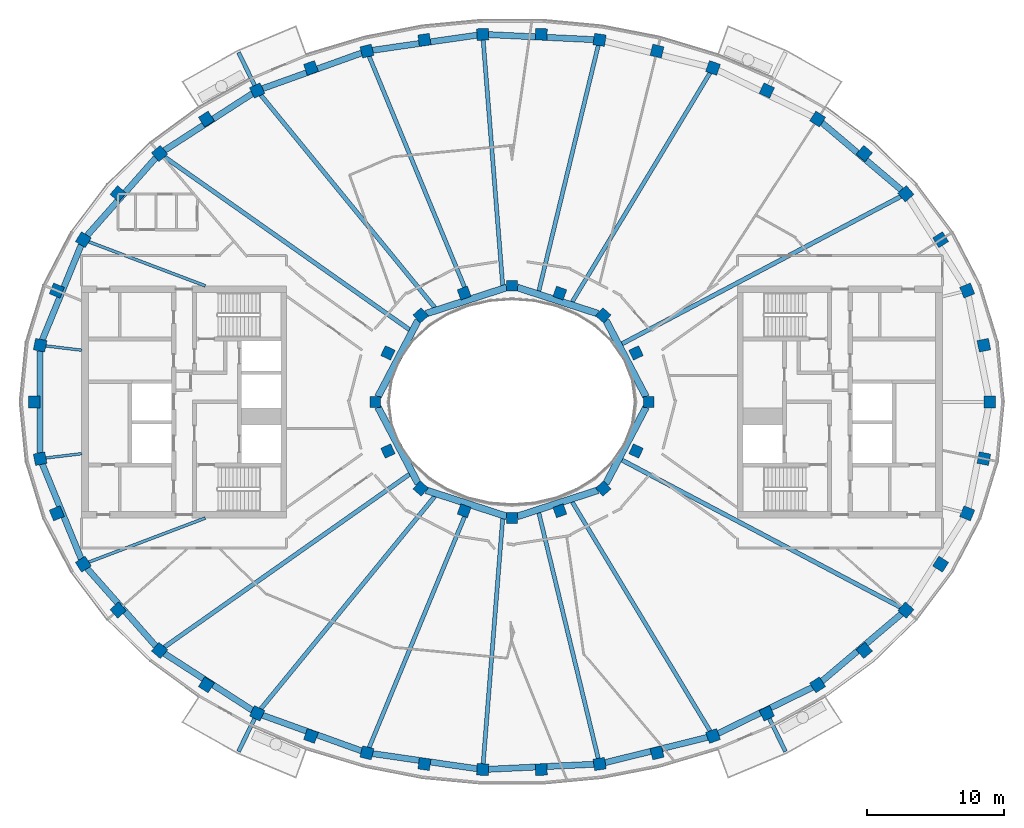
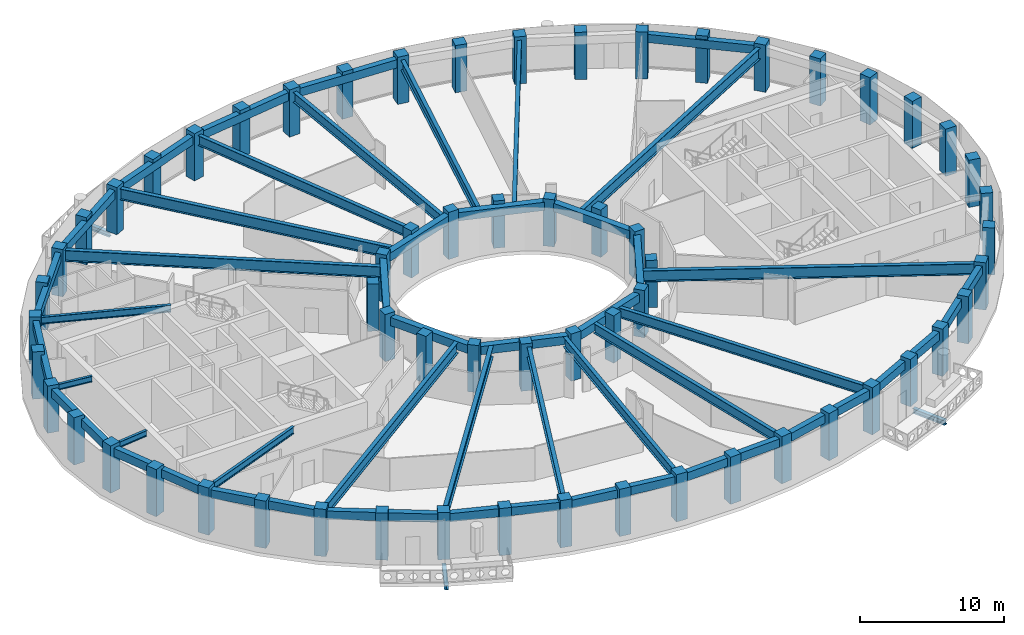
# One storey, part 1 of 18: 62 columns, 46 beams.
"""IFC4 building model written with IfcOpenShell, lengths in metres."""

from ifc_helpers import new_model, si_unit, direction, frame, origin, origin_2d, place, context, subcontext, project, spatial, rectangle, i_section, extrude, material, material_profile, profile_set, type_object, element, save


model = new_model("IFC4")

# Units and contexts
model_context = context("Model", 3, precision=1e-05, world=origin(), true_north=direction((0.0, 1.0)))
body_context = subcontext(model_context, "Body", "Model", "MODEL_VIEW")
ifc_project = project(units=[si_unit("LENGTHUNIT", "METRE"), si_unit("AREAUNIT", "SQUARE_METRE"), si_unit("VOLUMEUNIT", "CUBIC_METRE"), si_unit("PLANEANGLEUNIT", "RADIAN"), si_unit("MASSUNIT", "GRAM", prefix="KILO")], contexts=[model_context])

# Site, building, storey
site_placement = place(None, origin())
site = spatial("IfcSite", under=ifc_project, at=site_placement, CompositionType="ELEMENT")
building_placement = place(site_placement, origin())
building = spatial("IfcBuilding", under=site, at=building_placement, Name="Noorbagh Ring Tower", CompositionType="ELEMENT")
storey_placement = place(building_placement, frame((0.0, 0.0, 319.0)))
storey = spatial("IfcBuildingStorey", under=building, at=storey_placement, Name="L69", CompositionType="ELEMENT", Elevation=319.0)

# Columns
ifc_material_1 = material(Name="Concrete C50/60", Category="concrete")
ifc_material_profile_1 = material_profile(ifc_material_1, rectangle(XDim=0.85009765625, YDim=0.85009765625, at=origin_2d()), Name="RC850x850")
ifc_profile_set_1 = profile_set([ifc_material_profile_1], Name="Concrete C50/60")
column_type_1 = type_object("IfcColumnType", Name="STR-COL-RC850x850-C50-60", PredefinedType="COLUMN", material=ifc_profile_set_1)
for number, where, z_axis, x_axis, name in (
    (1, (34.944580078125, 0.0, 0.0), (0.0, 0.0, 1.0), (0.0, 1.0, 0.0), "L69/col/R1-01"),
    (2, (34.52685546875, 4.150634765625, 0.0), (0.0, 0.0, 1.0), (-0.19723040178, 0.9803571638, 0.0), "L69/col/R1-02"),
    (3, (33.30517578125, 8.1494140625, 0.0), (0.0, 0.0, 1.0), (-0.378989499959, 0.925400971969, 0.0), "L69/col/R1-03"),
    (4, (31.364990234375, 11.87109375, 0.0), (0.0, 0.0, 1.0), (-0.535190403059, 0.844731455833, 0.0), "L69/col/R1-04"),
    (5, (28.81884765625, 15.23046875, 0.0), (0.0, 0.0, 1.0), (-0.662635642662, 0.748941923699, 0.0), "L69/col/R1-05"),
    (6, (25.78271484375, 18.180419921875, 0.0), (0.0, 0.0, 1.0), (-0.763035199656, 0.646356932419, 0.0), "L69/col/R1-06"),
    (7, (22.362060546875, 20.699951171875, 0.0), (0.0, 0.0, 1.0), (-0.840247639643, 0.542202825586, 0.0), "L69/col/R1-07"),
    (8, (18.646240234375, 22.785400390625, 0.0), (0.0, 0.0, 1.0), (-0.898399080868, 0.439180021741, 0.0), "L69/col/R1-08"),
    (9, (14.70947265625, 24.44091796875, 0.0), (0.0, 0.0, 1.0), (-0.941024726094, 0.338337797003, 0.0), "L69/col/R1-09"),
    (10, (10.61328125, 25.673583984375, 0.0), (0.0, 0.0, 1.0), (-0.970829360981, 0.239771457553, 0.0), "L69/col/R1-10"),
    (11, (6.4091796875, 26.49072265625, 0.0), (0.0, 0.0, 1.0), (-0.989713114048, 0.143066249975, 0.0), "L69/col/R1-11"),
    (12, (2.14306640625, 26.89794921875, 0.0), (0.0, 0.0, 1.0), (-0.998868731212, 0.047552684538, 0.0), "L69/col/R1-12"),
    (13, (-2.14306640625, 26.89794921875, 0.0), (0.0, 0.0, 1.0), (-0.998868731212, -0.047552684538, 0.0), "L69/col/R1-13"),
    (14, (-6.4091796875, 26.49072265625, 0.0), (0.0, 0.0, 1.0), (-0.989713114048, -0.143066249975, 0.0), "L69/col/R1-14"),
    (15, (-10.61328125, 25.673583984375, 0.0), (0.0, 0.0, 1.0), (-0.970829360981, -0.239771457553, 0.0), "L69/col/R1-15"),
    (16, (-14.70947265625, 24.44091796875, 0.0), (0.0, 0.0, 1.0), (-0.941024726094, -0.338337797003, 0.0), "L69/col/R1-16"),
    (17, (-18.646240234375, 22.785400390625, 0.0), (0.0, 0.0, 1.0), (-0.898399080868, -0.439180021741, 0.0), "L69/col/R1-17"),
    (18, (-22.362060546875, 20.699951171875, 0.0), (0.0, 0.0, 1.0), (-0.840247639643, -0.542202825586, 0.0), "L69/col/R1-18"),
    (19, (-25.78271484375, 18.180419921875, 0.0), (0.0, 0.0, 1.0), (-0.763035199656, -0.646356932419, 0.0), "L69/col/R1-19"),
    (20, (-28.81884765625, 15.23046875, 0.0), (0.0, 0.0, 1.0), (-0.662635642662, -0.748941923699, 0.0), "L69/col/R1-20"),
    (21, (-31.364990234375, 11.87109375, 0.0), (0.0, 0.0, 1.0), (-0.535190403059, -0.844731455833, 0.0), "L69/col/R1-21"),
    (22, (-33.30517578125, 8.1494140625, 0.0), (0.0, 0.0, 1.0), (-0.378989499959, -0.925400971969, 0.0), "L69/col/R1-22"),
    (23, (-34.52685546875, 4.150634765625, 0.0), (0.0, 0.0, 1.0), (-0.19723040178, -0.9803571638, 0.0), "L69/col/R1-23"),
    (24, (-34.944580078125, 0.0, 0.0), (0.0, 0.0, 1.0), (0.0, -1.0, 0.0), "L69/col/R1-24"),
    (25, (-34.52685546875, -4.150634765625, 0.0), (0.0, 0.0, 1.0), (0.19723040178, -0.9803571638, 0.0), "L69/col/R1-25"),
    (26, (-33.30517578125, -8.1494140625, 0.0), (0.0, 0.0, 1.0), (0.378989499959, -0.925400971969, 0.0), "L69/col/R1-26"),
    (27, (-31.364990234375, -11.87109375, 0.0), (0.0, 0.0, 1.0), (0.535190403059, -0.844731455833, 0.0), "L69/col/R1-27"),
    (28, (-28.81884765625, -15.23046875, 0.0), (0.0, 0.0, 1.0), (0.662635642662, -0.748941923699, 0.0), "L69/col/R1-28"),
    (29, (-25.78271484375, -18.180419921875, 0.0), (0.0, 0.0, 1.0), (0.763035199656, -0.646356932419, 0.0), "L69/col/R1-29"),
    (30, (-22.362060546875, -20.699951171875, 0.0), (0.0, 0.0, 1.0), (0.840247639643, -0.542202825586, 0.0), "L69/col/R1-30"),
    (31, (-18.646240234375, -22.785400390625, 0.0), (0.0, 0.0, 1.0), (0.898399080868, -0.439180021741, 0.0), "L69/col/R1-31"),
    (32, (-14.70947265625, -24.44091796875, 0.0), (0.0, 0.0, 1.0), (0.941024726094, -0.338337797003, 0.0), "L69/col/R1-32"),
    (33, (-10.61328125, -25.673583984375, 0.0), (0.0, 0.0, 1.0), (0.970829360981, -0.239771457553, 0.0), "L69/col/R1-33"),
    (34, (-6.4091796875, -26.49072265625, 0.0), (0.0, 0.0, 1.0), (0.989713114048, -0.143066249975, 0.0), "L69/col/R1-34"),
    (35, (-2.14306640625, -26.89794921875, 0.0), (0.0, 0.0, 1.0), (0.998868731212, -0.047552684538, 0.0), "L69/col/R1-35"),
    (36, (2.14306640625, -26.89794921875, 0.0), (0.0, 0.0, 1.0), (0.998868731212, 0.047552684538, 0.0), "L69/col/R1-36"),
    (37, (6.4091796875, -26.49072265625, 0.0), (0.0, 0.0, 1.0), (0.989713114048, 0.143066249975, 0.0), "L69/col/R1-37"),
    (38, (10.61328125, -25.673583984375, 0.0), (0.0, 0.0, 1.0), (0.970829360981, 0.239771457553, 0.0), "L69/col/R1-38"),
    (39, (14.70947265625, -24.44091796875, 0.0), (0.0, 0.0, 1.0), (0.941024726094, 0.338337797003, 0.0), "L69/col/R1-39"),
    (40, (18.646240234375, -22.785400390625, 0.0), (0.0, 0.0, 1.0), (0.898399080868, 0.439180021741, 0.0), "L69/col/R1-40"),
    (41, (22.362060546875, -20.699951171875, 0.0), (0.0, 0.0, 1.0), (0.840247639643, 0.542202825586, 0.0), "L69/col/R1-41"),
    (42, (25.78271484375, -18.180419921875, 0.0), (0.0, 0.0, 1.0), (0.763035199656, 0.646356932419, 0.0), "L69/col/R1-42"),
    (43, (28.81884765625, -15.23046875, 0.0), (0.0, 0.0, 1.0), (0.662635642662, 0.748941923699, 0.0), "L69/col/R1-43"),
    (44, (31.364990234375, -11.87109375, 0.0), (0.0, 0.0, 1.0), (0.535190403059, 0.844731455833, 0.0), "L69/col/R1-44"),
    (45, (33.30517578125, -8.1494140625, 0.0), (0.0, 0.0, 1.0), (0.378989499959, 0.925400971969, 0.0), "L69/col/R1-45"),
    (46, (34.52685546875, -4.150634765625, 0.0), (0.0, 0.0, 1.0), (0.19723040178, 0.9803571638, 0.0), "L69/col/R1-46"),
):
    element("IfcColumn", number, at=place(storey_placement, frame(where, z_axis=z_axis, x_axis=x_axis)), inside=storey, type_object=column_type_1, Name=name, PredefinedType="COLUMN", context=body_context, shape_type="SweptSolid", body=[
        extrude(rectangle(XDim=0.85009765625, YDim=0.85009765625, at=origin_2d()), origin(), (0.0, 0.0, 1.0), 4.0),
    ])
ifc_material_2 = material(Name="Concrete C50/60", Category="concrete")
ifc_material_profile_2 = material_profile(ifc_material_2, rectangle(XDim=0.800048828125, YDim=0.800048828125, at=origin_2d()), Name="RC800x800")
ifc_profile_set_2 = profile_set([ifc_material_profile_2], Name="Concrete C50/60")
column_type_2 = type_object("IfcColumnType", Name="STR-ICOL-RC800x800-C50-60", PredefinedType="COLUMN", material=ifc_profile_set_2)
for number, where, z_axis, x_axis, name in (
    (47, (10.00830078125, 0.0, 0.0), (0.0, 0.0, 1.0), (0.0, 1.0, 0.0), "L69/col/IR2-W01"),
    (48, (9.07568359375, 3.58837890625, 0.0), (0.0, 0.0, 1.0), (-0.428666979171, 0.903462573087, 0.0), "L69/col/IR2-W03"),
    (49, (6.68212890625, 6.333740234375, 0.0), (0.0, 0.0, 1.0), (-0.75102249095, 0.660276622399, 0.0), "L69/col/IR2-W05"),
    (50, (3.5009765625, 7.967041015625, 0.0), (0.0, 0.0, 1.0), (-0.939019578916, 0.343863679984, 0.0), "L69/col/IR2-W07"),
    (51, (0.0, 8.5029296875, 0.0), (0.0, 0.0, 1.0), (-1.0, 0.0, 0.0), "L69/col/IR2-W09"),
    (52, (-3.5009765625, 7.967041015625, 0.0), (0.0, 0.0, 1.0), (-0.939019578916, -0.343863679984, 0.0), "L69/col/IR2-W11"),
    (53, (-6.68212890625, 6.333740234375, 0.0), (0.0, 0.0, 1.0), (-0.75102249095, -0.660276622399, 0.0), "L69/col/IR2-W13"),
    (54, (-9.07568359375, 3.58837890625, 0.0), (0.0, 0.0, 1.0), (-0.428666979171, -0.903462573087, 0.0), "L69/col/IR2-W15"),
    (55, (-10.00830078125, 0.0, 0.0), (0.0, 0.0, 1.0), (0.0, -1.0, 0.0), "L69/col/IR2-W17"),
    (56, (-9.07568359375, -3.58837890625, 0.0), (0.0, 0.0, 1.0), (0.428666979171, -0.903462573087, 0.0), "L69/col/IR2-W19"),
    (57, (-6.68212890625, -6.333740234375, 0.0), (0.0, 0.0, 1.0), (0.75102249095, -0.660276622399, 0.0), "L69/col/IR2-W21"),
    (58, (-3.5009765625, -7.967041015625, 0.0), (0.0, 0.0, 1.0), (0.939019578916, -0.343863679984, 0.0), "L69/col/IR2-W23"),
    (59, (0.0, -8.5029296875, 0.0), (0.0, 0.0, 1.0), (1.0, 0.0, 0.0), "L69/col/IR2-W25"),
    (60, (3.5009765625, -7.967041015625, 0.0), (0.0, 0.0, 1.0), (0.939019578916, 0.343863679984, 0.0), "L69/col/IR2-W27"),
    (61, (6.68212890625, -6.333740234375, 0.0), (0.0, 0.0, 1.0), (0.75102249095, 0.660276622399, 0.0), "L69/col/IR2-W29"),
    (62, (9.07568359375, -3.58837890625, 0.0), (0.0, 0.0, 1.0), (0.428666979171, 0.903462573087, 0.0), "L69/col/IR2-W31"),
):
    element("IfcColumn", number, at=place(storey_placement, frame(where, z_axis=z_axis, x_axis=x_axis)), inside=storey, type_object=column_type_2, Name=name, PredefinedType="COLUMN", context=body_context, shape_type="SweptSolid", body=[
        extrude(rectangle(XDim=0.800048828125, YDim=0.800048828125, at=origin_2d()), origin(), (0.0, 0.0, 1.0), 4.0),
    ])

# Beams
ifc_material_3 = material(Name="Steel S355", Category="steel")
ifc_material_profile_3 = material_profile(ifc_material_3, i_section(OverallWidth=0.300048828125, OverallDepth=0.39990234375, WebThickness=0.013427734375, FlangeThickness=0.02392578125, FilletRadius=0.027099609375, at=origin_2d()), Name="HEB400")
ifc_profile_set_3 = profile_set([ifc_material_profile_3], Name="Steel S355")
beam_type_1 = type_object("IfcBeamType", Name="STR-BALCONY-BRACKET-HEB400", PredefinedType="BEAM", material=ifc_profile_set_3)
for number, where, z_axis, x_axis, name in (
    (63, (-18.82421875, 23.149169921875, -0.5), (-0.439239321367, 0.898370089977, 0.0), (-0.898370089977, -0.439239321367, 0.0), "Balcony bracket beam BN05"),
    (64, (-18.82421875, -23.149169921875, -0.5), (-0.439239321367, -0.898370089977, 0.0), (0.898370089977, -0.439239321367, 0.0), "Balcony bracket beam BS02"),
    (65, (18.82421875, -23.149169921875, -0.5), (0.439239321367, -0.898370089977, 0.0), (0.898370089977, 0.439239321367, 0.0), "Balcony bracket beam BS05"),
):
    element("IfcBeam", number, at=place(storey_placement, frame(where, z_axis=z_axis, x_axis=x_axis)), inside=storey, type_object=beam_type_1, Name=name, PredefinedType="BEAM", context=body_context, shape_type="SweptSolid", body=[
        extrude(i_section(OverallWidth=0.300048828125, OverallDepth=0.39990234375, WebThickness=0.013427734375, FlangeThickness=0.02392578125, FilletRadius=0.027099609375, at=origin_2d()), origin(), (0.0, 0.0, 1.0), 2.7001953125),
    ])
ifc_material_4 = material(Name="Steel S355", Category="steel")
ifc_material_profile_4 = material_profile(ifc_material_4, i_section(OverallWidth=0.199951171875, OverallDepth=0.5, WebThickness=0.01025390625, FlangeThickness=0.01611328125, FilletRadius=0.02099609375, at=origin_2d()), Name="IPE500")
ifc_profile_set_4 = profile_set([ifc_material_profile_4], Name="Steel S355")
beam_type_2 = type_object("IfcBeamType", Name="STR-RAD-IPE500", PredefinedType="BEAM", material=ifc_profile_set_4)
for number, where, z_axis, x_axis, name in (
    (66, (-34.123291015625, 4.102294921875, 3.449951171875), (0.992845559516, -0.119405590106, 0.0), (0.119405590106, 0.992845559516, 0.0), "L69/bm/RD23"),
    (67, (-34.123291015625, -4.102294921875, 3.449951171875), (0.992845559516, 0.119405590106, 0.0), (-0.119405590106, 0.992845559516, 0.0), "L69/bm/RD25"),
):
    element("IfcBeam", number, at=place(storey_placement, frame(where, z_axis=z_axis, x_axis=x_axis)), inside=storey, type_object=beam_type_2, Name=name, PredefinedType="BEAM", context=body_context, shape_type="SweptSolid", body=[
        extrude(i_section(OverallWidth=0.199951171875, OverallDepth=0.5, WebThickness=0.01025390625, FlangeThickness=0.01611328125, FilletRadius=0.02099609375, at=origin_2d()), origin(), (0.0, 0.0, 1.0), 2.662109375),
    ])
ifc_material_5 = material(Name="Steel S355", Category="steel")
ifc_material_profile_5 = material_profile(ifc_material_5, i_section(OverallWidth=0.219970703125, OverallDepth=0.60009765625, WebThickness=0.011962890625, FlangeThickness=0.01904296875, FilletRadius=0.02392578125, at=origin_2d()), Name="IPE600")
ifc_profile_set_5 = profile_set([ifc_material_profile_5], Name="Steel S355")
beam_type_3 = type_object("IfcBeamType", Name="STR-RAD-IPE600", PredefinedType="BEAM", material=ifc_profile_set_5)
for number, where, z_axis, x_axis, name in (
    (68, (-30.977783203125, 11.724365234375, 3.39990234375), (0.935256589079, -0.35397049677, 0.0), (0.35397049677, 0.935256589079, 0.0), "L69/bm/RD21"),
    (69, (-30.977783203125, -11.724365234375, 3.39990234375), (0.935256589079, 0.35397049677, 0.0), (-0.35397049677, 0.935256589079, 0.0), "L69/bm/RD27"),
):
    element("IfcBeam", number, at=place(storey_placement, frame(where, z_axis=z_axis, x_axis=x_axis)), inside=storey, type_object=beam_type_3, Name=name, PredefinedType="BEAM", context=body_context, shape_type="SweptSolid", body=[
        extrude(i_section(OverallWidth=0.219970703125, OverallDepth=0.60009765625, WebThickness=0.011962890625, FlangeThickness=0.01904296875, FilletRadius=0.02392578125, at=origin_2d()), origin(), (0.0, 0.0, 1.0), 9.129150390625),
    ])
ifc_material_6 = material(Name="Steel S355", Category="steel")
ifc_material_profile_6 = material_profile(ifc_material_6, i_section(OverallWidth=0.300048828125, OverallDepth=0.85009765625, WebThickness=0.013916015625, FlangeThickness=0.028076171875, at=origin_2d()), Name="PG850x300x14x28")
ifc_profile_set_6 = profile_set([ifc_material_profile_6], Name="Steel S355")
beam_type_4 = type_object("IfcBeamType", Name="STR-RAD-PG850x300x14x28", PredefinedType="BEAM", material=ifc_profile_set_6)
beam_1_placement = place(storey_placement, frame((14.496337890625, 24.086669921875, 3.27490234375), z_axis=(-0.515652694162, -0.856797700162, 0.0), x_axis=(0.856797700162, -0.515652694162, 0.0)))
element("IfcBeam", 70, at=beam_1_placement, inside=storey, type_object=beam_type_4, Name="L69/bm/RD09", PredefinedType="BEAM", context=body_context, shape_type="SweptSolid", body=[
    extrude(i_section(OverallWidth=0.300048828125, OverallDepth=0.85009765625, WebThickness=0.013916015625, FlangeThickness=0.028076171875, at=origin_2d()), origin(), (0.0, 0.0, 1.0), 19.57373046875),
])
beam_2_placement = place(storey_placement, frame((6.3134765625, 26.095458984375, 3.27490234375), z_axis=(-0.235150311245, -0.971959017202, 0.0), x_axis=(0.971959017202, -0.235150311245, 0.0)))
element("IfcBeam", 71, at=beam_2_placement, inside=storey, type_object=beam_type_4, Name="L69/bm/RD11", PredefinedType="BEAM", context=body_context, shape_type="SweptSolid", body=[
    extrude(i_section(OverallWidth=0.300048828125, OverallDepth=0.85009765625, WebThickness=0.013916015625, FlangeThickness=0.028076171875, at=origin_2d()), origin(), (0.0, 0.0, 1.0), 18.506591796875),
])
beam_3_placement = place(storey_placement, frame((-2.111083984375, 26.494140625, 3.27490234375), z_axis=(0.079432469635, -0.996840249372, 0.0), x_axis=(0.996840249372, 0.079432469635, 0.0)))
element("IfcBeam", 72, at=beam_3_placement, inside=storey, type_object=beam_type_4, Name="L69/bm/RD13", PredefinedType="BEAM", context=body_context, shape_type="SweptSolid", body=[
    extrude(i_section(OverallWidth=0.300048828125, OverallDepth=0.85009765625, WebThickness=0.013916015625, FlangeThickness=0.028076171875, at=origin_2d()), origin(), (0.0, 0.0, 1.0), 18.0263671875),
])
for number, where, z_axis, x_axis, name in (
    (73, (-10.45654296875, 25.294921875, 3.27490234375), (0.382031056848, -0.924149485529, 0.0), (0.924149485529, 0.382031056848, 0.0), "L69/bm/RD15"),
    (74, (-10.45654296875, -25.294921875, 3.27490234375), (0.382031056848, 0.924149485529, 0.0), (-0.924149485529, 0.382031056848, 0.0), "L69/bm/RD33"),
):
    element("IfcBeam", number, at=place(storey_placement, frame(where, z_axis=z_axis, x_axis=x_axis)), inside=storey, type_object=beam_type_4, Name=name, PredefinedType="BEAM", context=body_context, shape_type="SweptSolid", body=[
        extrude(i_section(OverallWidth=0.300048828125, OverallDepth=0.85009765625, WebThickness=0.013916015625, FlangeThickness=0.028076171875, at=origin_2d()), origin(), (0.0, 0.0, 1.0), 19.028076171875),
    ])
beam_4_placement = place(storey_placement, frame((-2.111083984375, -26.494140625, 3.27490234375), z_axis=(0.079432469635, 0.996840249372, 0.0), x_axis=(-0.996840249372, 0.079432469635, 0.0)))
element("IfcBeam", 75, at=beam_4_placement, inside=storey, type_object=beam_type_4, Name="L69/bm/RD35", PredefinedType="BEAM", context=body_context, shape_type="SweptSolid", body=[
    extrude(i_section(OverallWidth=0.300048828125, OverallDepth=0.85009765625, WebThickness=0.013916015625, FlangeThickness=0.028076171875, at=origin_2d()), origin(), (0.0, 0.0, 1.0), 18.0263671875),
])
beam_5_placement = place(storey_placement, frame((6.3134765625, -26.095458984375, 3.27490234375), z_axis=(-0.235150311245, 0.971959017202, 0.0), x_axis=(-0.971959017202, -0.235150311245, 0.0)))
element("IfcBeam", 76, at=beam_5_placement, inside=storey, type_object=beam_type_4, Name="L69/bm/RD37", PredefinedType="BEAM", context=body_context, shape_type="SweptSolid", body=[
    extrude(i_section(OverallWidth=0.300048828125, OverallDepth=0.85009765625, WebThickness=0.013916015625, FlangeThickness=0.028076171875, at=origin_2d()), origin(), (0.0, 0.0, 1.0), 18.506591796875),
])
beam_6_placement = place(storey_placement, frame((14.496337890625, -24.086669921875, 3.27490234375), z_axis=(-0.515652694162, 0.856797700162, 0.0), x_axis=(-0.856797700162, -0.515652694162, 0.0)))
element("IfcBeam", 77, at=beam_6_placement, inside=storey, type_object=beam_type_4, Name="L69/bm/RD39", PredefinedType="BEAM", context=body_context, shape_type="SweptSolid", body=[
    extrude(i_section(OverallWidth=0.300048828125, OverallDepth=0.85009765625, WebThickness=0.013916015625, FlangeThickness=0.028076171875, at=origin_2d()), origin(), (0.0, 0.0, 1.0), 19.57373046875),
])
ifc_material_7 = material(Name="Steel S355", Category="steel")
ifc_material_profile_7 = material_profile(ifc_material_7, i_section(OverallWidth=0.320068359375, OverallDepth=0.949951171875, WebThickness=0.01611328125, FlangeThickness=0.030029296875, at=origin_2d()), Name="PG950x320x16x30")
ifc_profile_set_7 = profile_set([ifc_material_profile_7], Name="Steel S355")
beam_type_5 = type_object("IfcBeamType", Name="STR-RAD-PG950x320x16x30", PredefinedType="BEAM", material=ifc_profile_set_7)
beam_7_placement = place(storey_placement, frame((28.449951171875, 15.035400390625, 3.22509765625), z_axis=(-0.884129263948, -0.46724238317, 0.0), x_axis=(0.46724238317, -0.884129263948, 0.0)))
element("IfcBeam", 78, at=beam_7_placement, inside=storey, type_object=beam_type_5, Name="L69/bm/RD05", PredefinedType="BEAM", context=body_context, shape_type="SweptSolid", body=[
    extrude(i_section(OverallWidth=0.320068359375, OverallDepth=0.949951171875, WebThickness=0.01611328125, FlangeThickness=0.030029296875, at=origin_2d()), origin(), (0.0, 0.0, 1.0), 23.087890625),
])
beam_8_placement = place(storey_placement, frame((-18.38232421875, 22.462890625, 3.22509765625), z_axis=(0.633313204147, -0.773895590796, 0.0), x_axis=(0.773895590796, 0.633313204147, 0.0)))
element("IfcBeam", 79, at=beam_8_placement, inside=storey, type_object=beam_type_5, Name="L69/bm/RD17", PredefinedType="BEAM", context=body_context, shape_type="SweptSolid", body=[
    extrude(i_section(OverallWidth=0.320068359375, OverallDepth=0.949951171875, WebThickness=0.01611328125, FlangeThickness=0.030029296875, at=origin_2d()), origin(), (0.0, 0.0, 1.0), 20.096435546875),
])
for number, where, z_axis, x_axis, name in (
    (80, (-25.440185546875, 17.938720703125, 3.22509765625), (0.817257999624, -0.576271951469, 0.0), (0.576271951469, 0.817257999624, 0.0), "L69/bm/RD19"),
    (81, (-25.440185546875, -17.938720703125, 3.22509765625), (0.817257999624, 0.576271951469, 0.0), (-0.576271951469, 0.817257999624, 0.0), "L69/bm/RD29"),
):
    element("IfcBeam", number, at=place(storey_placement, frame(where, z_axis=z_axis, x_axis=x_axis)), inside=storey, type_object=beam_type_5, Name=name, PredefinedType="BEAM", context=body_context, shape_type="SweptSolid", body=[
        extrude(i_section(OverallWidth=0.320068359375, OverallDepth=0.949951171875, WebThickness=0.01611328125, FlangeThickness=0.030029296875, at=origin_2d()), origin(), (0.0, 0.0, 1.0), 21.959716796875),
    ])
beam_9_placement = place(storey_placement, frame((-18.38232421875, -22.462890625, 3.22509765625), z_axis=(0.633313204147, 0.773895590796, 0.0), x_axis=(-0.773895590796, 0.633313204147, 0.0)))
element("IfcBeam", 82, at=beam_9_placement, inside=storey, type_object=beam_type_5, Name="L69/bm/RD31", PredefinedType="BEAM", context=body_context, shape_type="SweptSolid", body=[
    extrude(i_section(OverallWidth=0.320068359375, OverallDepth=0.949951171875, WebThickness=0.01611328125, FlangeThickness=0.030029296875, at=origin_2d()), origin(), (0.0, 0.0, 1.0), 20.096435546875),
])
beam_10_placement = place(storey_placement, frame((28.449951171875, -15.035400390625, 3.22509765625), z_axis=(-0.884129263948, 0.46724238317, 0.0), x_axis=(-0.46724238317, -0.884129263948, 0.0)))
element("IfcBeam", 83, at=beam_10_placement, inside=storey, type_object=beam_type_5, Name="L69/bm/RD43", PredefinedType="BEAM", context=body_context, shape_type="SweptSolid", body=[
    extrude(i_section(OverallWidth=0.320068359375, OverallDepth=0.949951171875, WebThickness=0.01611328125, FlangeThickness=0.030029296875, at=origin_2d()), origin(), (0.0, 0.0, 1.0), 23.087890625),
])
ifc_material_8 = material(Name="Concrete C40/50", Category="concrete")
ifc_material_profile_8 = material_profile(ifc_material_8, rectangle(XDim=0.5, YDim=0.699951171875, at=origin_2d()), Name="RC500x700")
ifc_profile_set_8 = profile_set([ifc_material_profile_8], Name="Concrete C40/50")
beam_type_6 = type_object("IfcBeamType", Name="STR-RB-RC500x700-C40-50", PredefinedType="BEAM", material=ifc_profile_set_8)
beam_11_placement = place(storey_placement, frame((9.8076171875, 0.38232421875, 3.35009765625), z_axis=(-0.464943021964, 0.885340604698, 0.0), x_axis=(-0.885340604698, -0.464943021964, 0.0)))
element("IfcBeam", 84, at=beam_11_placement, inside=storey, type_object=beam_type_6, Name="L69/bm/RG01", PredefinedType="BEAM", context=body_context, shape_type="SweptSolid", body=[
    extrude(rectangle(XDim=0.5, YDim=0.699951171875, at=origin_2d()), origin(), (0.0, 0.0, 1.0), 6.313720703125),
])
for number, where, z_axis, x_axis, name in (
    (85, (6.286865234375, 6.462158203125, 3.35009765625), (-0.951150444931, 0.308727762126, 0.0), (-0.308727762126, -0.951150444931, 0.0), "L69/bm/RG03"),
    (86, (-0.380859375, 8.379150390625, 3.35009765625), (-0.951150444931, -0.308727762126, 0.0), (0.308727762126, -0.951150444931, 0.0), "L69/bm/RG05"),
):
    element("IfcBeam", number, at=place(storey_placement, frame(where, z_axis=z_axis, x_axis=x_axis)), inside=storey, type_object=beam_type_6, Name=name, PredefinedType="BEAM", context=body_context, shape_type="SweptSolid", body=[
        extrude(rectangle(XDim=0.5, YDim=0.699951171875, at=origin_2d()), origin(), (0.0, 0.0, 1.0), 6.209228515625),
    ])
for number, where, z_axis, x_axis, name in (
    (87, (-6.8720703125, 5.97216796875, 3.35009765625), (-0.464943021964, -0.885340604698, 0.0), (0.885340604698, -0.464943021964, 0.0), "L69/bm/RG07"),
    (88, (-9.8076171875, -0.38232421875, 3.35009765625), (0.464943021964, -0.885340604698, 0.0), (0.885340604698, 0.464943021964, 0.0), "L69/bm/RG09"),
):
    element("IfcBeam", number, at=place(storey_placement, frame(where, z_axis=z_axis, x_axis=x_axis)), inside=storey, type_object=beam_type_6, Name=name, PredefinedType="BEAM", context=body_context, shape_type="SweptSolid", body=[
        extrude(rectangle(XDim=0.5, YDim=0.699951171875, at=origin_2d()), origin(), (0.0, 0.0, 1.0), 6.313720703125),
    ])
for number, where, z_axis, x_axis, name in (
    (89, (-6.286865234375, -6.462158203125, 3.35009765625), (0.951150444931, -0.308727762126, 0.0), (0.308727762126, 0.951150444931, 0.0), "L69/bm/RG11"),
    (90, (0.380859375, -8.379150390625, 3.35009765625), (0.951150444931, 0.308727762126, 0.0), (-0.308727762126, 0.951150444931, 0.0), "L69/bm/RG13"),
):
    element("IfcBeam", number, at=place(storey_placement, frame(where, z_axis=z_axis, x_axis=x_axis)), inside=storey, type_object=beam_type_6, Name=name, PredefinedType="BEAM", context=body_context, shape_type="SweptSolid", body=[
        extrude(rectangle(XDim=0.5, YDim=0.699951171875, at=origin_2d()), origin(), (0.0, 0.0, 1.0), 6.209228515625),
    ])
beam_12_placement = place(storey_placement, frame((6.8720703125, -5.97216796875, 3.35009765625), z_axis=(0.464943021964, 0.885340604698, 0.0), x_axis=(-0.885340604698, 0.464943021964, 0.0)))
element("IfcBeam", 91, at=beam_12_placement, inside=storey, type_object=beam_type_6, Name="L69/bm/RG15", PredefinedType="BEAM", context=body_context, shape_type="SweptSolid", body=[
    extrude(rectangle(XDim=0.5, YDim=0.699951171875, at=origin_2d()), origin(), (0.0, 0.0, 1.0), 6.313720703125),
])
ifc_material_9 = material(Name="Concrete C40/50", Category="concrete")
ifc_material_profile_9 = material_profile(ifc_material_9, rectangle(XDim=0.449951171875, YDim=0.699951171875, at=origin_2d()), Name="RC450x700")
ifc_profile_set_9 = profile_set([ifc_material_profile_9], Name="Concrete C40/50")
beam_type_7 = type_object("IfcBeamType", Name="STR-SB-RC450x700-C40-50", PredefinedType="BEAM", material=ifc_profile_set_9)
beam_13_placement = place(storey_placement, frame((28.50634765625, 15.4951171875, 3.35009765625), z_axis=(-0.763033626147, 0.646358789968, 0.0), x_axis=(-0.646358789968, -0.763033626147, 0.0)))
element("IfcBeam", 92, at=beam_13_placement, inside=storey, type_object=beam_type_7, Name="L69/bm/SP05", PredefinedType="BEAM", context=body_context, shape_type="SweptSolid", body=[
    extrude(rectangle(XDim=0.449951171875, YDim=0.699951171875, at=origin_2d()), origin(), (0.0, 0.0, 1.0), 7.643798828125),
])
beam_14_placement = place(storey_placement, frame((6.002685546875, 26.51025390625, 3.35009765625), z_axis=(-0.998868993013, 0.047547184961, 0.0), x_axis=(-0.047547184961, -0.998868993013, 0.0)))
element("IfcBeam", 93, at=beam_14_placement, inside=storey, type_object=beam_type_7, Name="L69/bm/SP11", PredefinedType="BEAM", context=body_context, shape_type="SweptSolid", body=[
    extrude(rectangle(XDim=0.449951171875, YDim=0.699951171875, at=origin_2d()), origin(), (0.0, 0.0, 1.0), 7.748291015625),
])
beam_15_placement = place(storey_placement, frame((-2.5458984375, 26.83984375, 3.35009765625), z_axis=(-0.989712936671, -0.143067477037, 0.0), x_axis=(0.143067477037, -0.989712936671, 0.0)))
element("IfcBeam", 94, at=beam_15_placement, inside=storey, type_object=beam_type_7, Name="L69/bm/SP13", PredefinedType="BEAM", context=body_context, shape_type="SweptSolid", body=[
    extrude(rectangle(XDim=0.449951171875, YDim=0.699951171875, at=origin_2d()), origin(), (0.0, 0.0, 1.0), 7.743896484375),
])
beam_16_placement = place(storey_placement, frame((-10.996337890625, 25.535888671875, 3.35009765625), z_axis=(-0.941025178143, -0.338336539707, 0.0), x_axis=(0.338336539707, -0.941025178143, 0.0)))
element("IfcBeam", 95, at=beam_16_placement, inside=storey, type_object=beam_type_7, Name="L69/bm/SP15", PredefinedType="BEAM", context=body_context, shape_type="SweptSolid", body=[
    extrude(rectangle(XDim=0.449951171875, YDim=0.699951171875, at=origin_2d()), origin(), (0.0, 0.0, 1.0), 7.7216796875),
])
beam_17_placement = place(storey_placement, frame((-18.989013671875, 22.564208984375, 3.35009765625), z_axis=(-0.840250378677, -0.542198580904, 0.0), x_axis=(0.542198580904, -0.840250378677, 0.0)))
element("IfcBeam", 96, at=beam_17_placement, inside=storey, type_object=beam_type_7, Name="L69/bm/SP17", PredefinedType="BEAM", context=body_context, shape_type="SweptSolid", body=[
    extrude(rectangle(XDim=0.449951171875, YDim=0.699951171875, at=origin_2d()), origin(), (0.0, 0.0, 1.0), 7.6767578125),
])
beam_18_placement = place(storey_placement, frame((-26.053955078125, 17.873779296875, 3.35009765625), z_axis=(-0.662640380218, -0.748937732061, 0.0), x_axis=(0.748937732061, -0.662640380218, 0.0)))
element("IfcBeam", 97, at=beam_18_placement, inside=storey, type_object=beam_type_7, Name="L69/bm/SP19", PredefinedType="BEAM", context=body_context, shape_type="SweptSolid", body=[
    extrude(rectangle(XDim=0.449951171875, YDim=0.699951171875, at=origin_2d()), origin(), (0.0, 0.0, 1.0), 7.6044921875),
])
beam_19_placement = place(storey_placement, frame((-31.52099609375, 11.489990234375, 3.35009765625), z_axis=(-0.37899824369, -0.925397391006, 0.0), x_axis=(0.925397391006, -0.37899824369, 0.0)))
element("IfcBeam", 98, at=beam_19_placement, inside=storey, type_object=beam_type_7, Name="L69/bm/SP21", PredefinedType="BEAM", context=body_context, shape_type="SweptSolid", body=[
    extrude(rectangle(XDim=0.449951171875, YDim=0.699951171875, at=origin_2d()), origin(), (0.0, 0.0, 1.0), 7.51806640625),
])
beam_20_placement = place(storey_placement, frame((-34.52685546875, 3.737060546875, 3.35009765625), z_axis=(0.0, -1.0, 0.0), x_axis=(1.0, 0.0, 0.0)))
element("IfcBeam", 99, at=beam_20_placement, inside=storey, type_object=beam_type_7, Name="L69/bm/SP23", PredefinedType="BEAM", context=body_context, shape_type="SweptSolid", body=[
    extrude(rectangle(XDim=0.449951171875, YDim=0.699951171875, at=origin_2d()), origin(), (0.0, 0.0, 1.0), 7.47412109375),
])
beam_21_placement = place(storey_placement, frame((-34.370361328125, -4.53271484375, 3.35009765625), z_axis=(0.37899824369, -0.925397391006, 0.0), x_axis=(0.925397391006, 0.37899824369, 0.0)))
element("IfcBeam", 100, at=beam_21_placement, inside=storey, type_object=beam_type_7, Name="L69/bm/SP25", PredefinedType="BEAM", context=body_context, shape_type="SweptSolid", body=[
    extrude(rectangle(XDim=0.449951171875, YDim=0.699951171875, at=origin_2d()), origin(), (0.0, 0.0, 1.0), 7.51806640625),
])
beam_22_placement = place(storey_placement, frame((-31.093017578125, -12.178466796875, 3.35009765625), z_axis=(0.662640380218, -0.748937732061, 0.0), x_axis=(0.748937732061, 0.662640380218, 0.0)))
element("IfcBeam", 101, at=beam_22_placement, inside=storey, type_object=beam_type_7, Name="L69/bm/SP27", PredefinedType="BEAM", context=body_context, shape_type="SweptSolid", body=[
    extrude(rectangle(XDim=0.449951171875, YDim=0.699951171875, at=origin_2d()), origin(), (0.0, 0.0, 1.0), 7.6044921875),
])
beam_23_placement = place(storey_placement, frame((-25.439453125, -18.40185546875, 3.35009765625), z_axis=(0.840250378677, -0.542198580904, 0.0), x_axis=(0.542198580904, 0.840250378677, 0.0)))
element("IfcBeam", 102, at=beam_23_placement, inside=storey, type_object=beam_type_7, Name="L69/bm/SP29", PredefinedType="BEAM", context=body_context, shape_type="SweptSolid", body=[
    extrude(rectangle(XDim=0.449951171875, YDim=0.699951171875, at=origin_2d()), origin(), (0.0, 0.0, 1.0), 7.6767578125),
])
beam_24_placement = place(storey_placement, frame((-18.2626953125, -22.92333984375, 3.35009765625), z_axis=(0.941025178143, -0.338336539707, 0.0), x_axis=(0.338336539707, 0.941025178143, 0.0)))
element("IfcBeam", 103, at=beam_24_placement, inside=storey, type_object=beam_type_7, Name="L69/bm/SP31", PredefinedType="BEAM", context=body_context, shape_type="SweptSolid", body=[
    extrude(rectangle(XDim=0.449951171875, YDim=0.699951171875, at=origin_2d()), origin(), (0.0, 0.0, 1.0), 7.7216796875),
])
beam_25_placement = place(storey_placement, frame((-10.210205078125, -25.73193359375, 3.35009765625), z_axis=(0.989712936671, -0.143067477037, 0.0), x_axis=(0.143067477037, 0.989712936671, 0.0)))
element("IfcBeam", 104, at=beam_25_placement, inside=storey, type_object=beam_type_7, Name="L69/bm/SP33", PredefinedType="BEAM", context=body_context, shape_type="SweptSolid", body=[
    extrude(rectangle(XDim=0.449951171875, YDim=0.699951171875, at=origin_2d()), origin(), (0.0, 0.0, 1.0), 7.743896484375),
])
beam_26_placement = place(storey_placement, frame((-1.73681640625, -26.878662109375, 3.35009765625), z_axis=(0.998868993013, 0.047547184961, 0.0), x_axis=(-0.047547184961, 0.998868993013, 0.0)))
element("IfcBeam", 105, at=beam_26_placement, inside=storey, type_object=beam_type_7, Name="L69/bm/SP35", PredefinedType="BEAM", context=body_context, shape_type="SweptSolid", body=[
    extrude(rectangle(XDim=0.449951171875, YDim=0.699951171875, at=origin_2d()), origin(), (0.0, 0.0, 1.0), 7.748291015625),
])
beam_27_placement = place(storey_placement, frame((6.804443359375, -26.393310546875, 3.35009765625), z_axis=(0.970829204931, 0.239772089397, 0.0), x_axis=(-0.239772089397, 0.970829204931, 0.0)))
element("IfcBeam", 106, at=beam_27_placement, inside=storey, type_object=beam_type_7, Name="L69/bm/SP37", PredefinedType="BEAM", context=body_context, shape_type="SweptSolid", body=[
    extrude(rectangle(XDim=0.449951171875, YDim=0.699951171875, at=origin_2d()), origin(), (0.0, 0.0, 1.0), 7.7353515625),
])
beam_28_placement = place(storey_placement, frame((15.07568359375, -24.261962890625, 3.35009765625), z_axis=(0.898397700963, 0.439182844501, 0.0), x_axis=(-0.439182844501, 0.898397700963, 0.0)))
element("IfcBeam", 107, at=beam_28_placement, inside=storey, type_object=beam_type_7, Name="L69/bm/SP39", PredefinedType="BEAM", context=body_context, shape_type="SweptSolid", body=[
    extrude(rectangle(XDim=0.449951171875, YDim=0.699951171875, at=origin_2d()), origin(), (0.0, 0.0, 1.0), 7.70263671875),
])
beam_29_placement = place(storey_placement, frame((22.673828125, -20.435791015625, 3.35009765625), z_axis=(0.763033626147, 0.646358789968, 0.0), x_axis=(-0.646358789968, 0.763033626147, 0.0)))
element("IfcBeam", 108, at=beam_29_placement, inside=storey, type_object=beam_type_7, Name="L69/bm/SP41", PredefinedType="BEAM", context=body_context, shape_type="SweptSolid", body=[
    extrude(rectangle(XDim=0.449951171875, YDim=0.699951171875, at=origin_2d()), origin(), (0.0, 0.0, 1.0), 7.643798828125),
])

save(model, "model.ifc")
